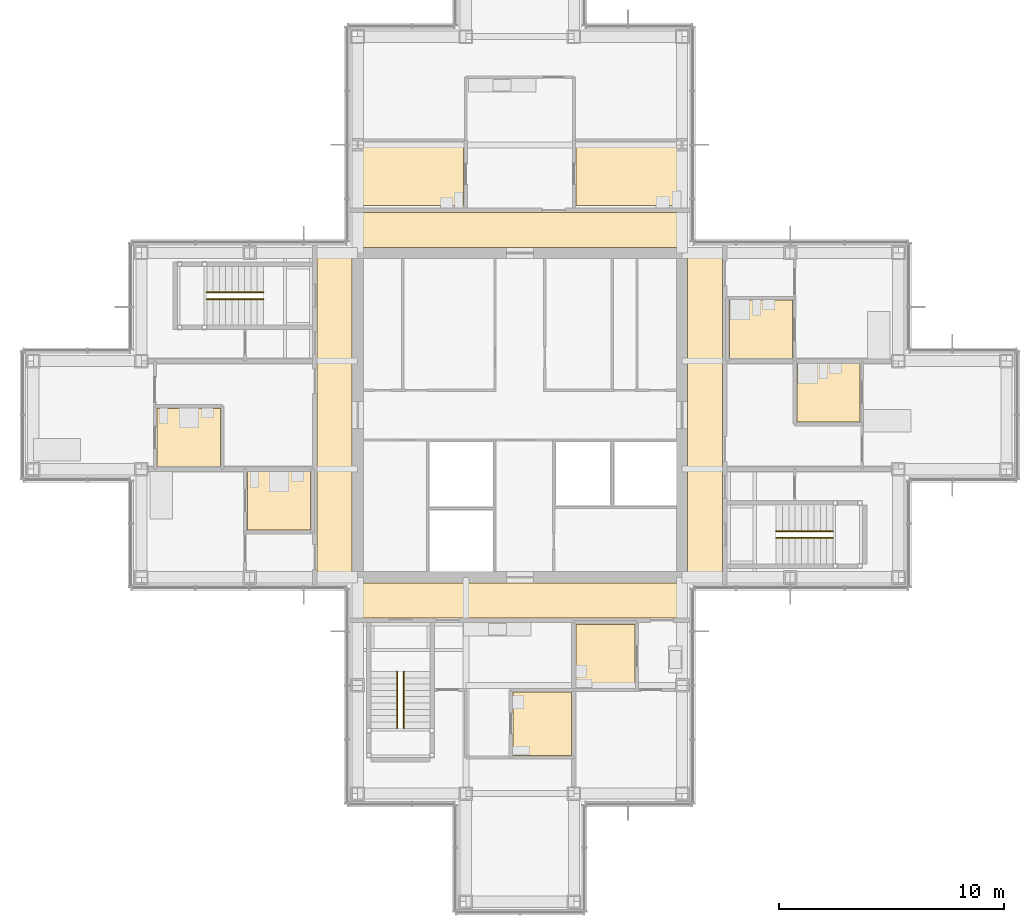
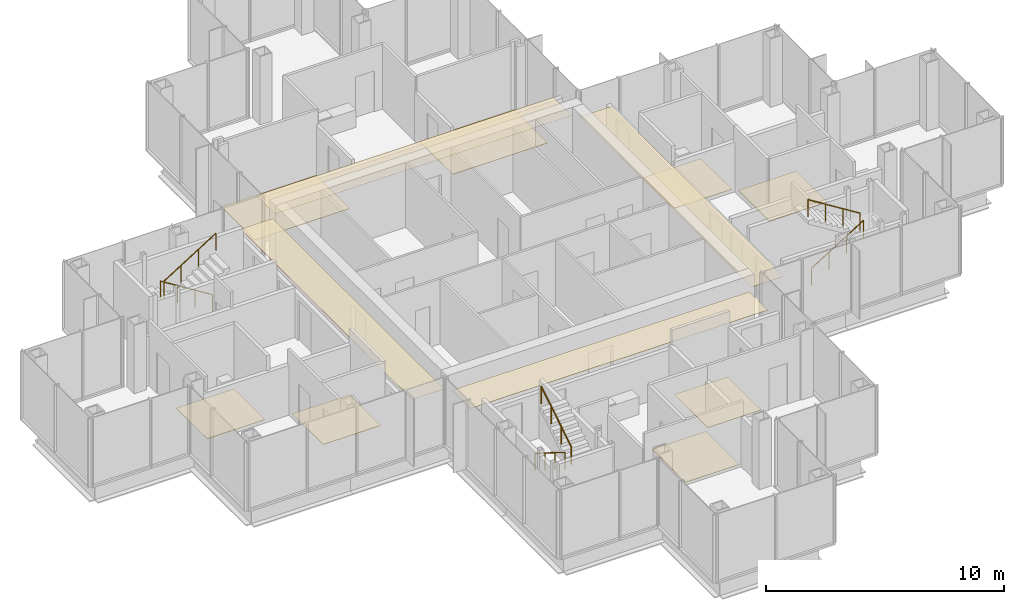
# One storey, part 15 of 17: 12 coverings, 6 railings.
"""IFC4 building model written with IfcOpenShell, lengths in metres."""

from ifc_helpers import new_model, si_unit, direction, frame, origin, origin_2d, place, context, subcontext, project, spatial, polyline, circle, outline, extrude, material, layer, layer_set, type_object, element, save


model = new_model("IFC4")

# Units and contexts
model_context = context("Model", 3, precision=1e-05, world=origin(), true_north=direction((0.0, 1.0)))
body_context = subcontext(model_context, "Body", "Model", "MODEL_VIEW")
ifc_project = project(units=[si_unit("LENGTHUNIT", "METRE"), si_unit("AREAUNIT", "SQUARE_METRE"), si_unit("VOLUMEUNIT", "CUBIC_METRE"), si_unit("PLANEANGLEUNIT", "RADIAN"), si_unit("MASSUNIT", "GRAM", prefix="KILO")], contexts=[model_context])

# Site, building, storey
site_placement = place(None, origin())
site = spatial("IfcSite", under=ifc_project, at=site_placement, CompositionType="ELEMENT")
building_placement = place(site_placement, origin())
building = spatial("IfcBuilding", under=site, at=building_placement, Name="Kvirike Care Tower", CompositionType="ELEMENT")
storey_placement = place(building_placement, frame((0.0, 0.0, 158.5)))
storey = spatial("IfcBuildingStorey", under=building, at=storey_placement, Name="L43", CompositionType="ELEMENT", Elevation=158.5)

# Coverings
ifc_material_1 = material(Name="Perforated metal ceiling tile", Category="aluminium")
ifc_layer_1 = layer(ifc_material_1, 0.014892578125)
ifc_layer_set_1 = layer_set([ifc_layer_1], Name="CORRIDOR CEILING 15")
covering_type_1 = type_object("IfcCoveringType", Name="CORRIDOR CEILING 15", PredefinedType="CEILING", material=ifc_layer_set_1)
covering_1_placement = place(storey_placement, frame((0.0, 0.0, 2.5)))
element("IfcCovering", 1, at=covering_1_placement, inside=storey, type_object=covering_type_1, Name="Corridor ceiling L43", PredefinedType="CEILING", context=body_context, shape_type="SweptSolid", body=[
    extrude(outline(polyline([(12.60009765625, 43.199951171875), (14.14990234375, 43.199951171875), (14.14990234375, 28.800048828125), (12.60009765625, 28.800048828125), (12.60009765625, 43.199951171875)])), origin(), (0.0, 0.0, 1.0), 0.014892578125),
])
covering_2_placement = place(storey_placement, frame((0.0, 0.0, 2.5)))
element("IfcCovering", 2, at=covering_2_placement, inside=storey, type_object=covering_type_1, Name="Corridor ceiling L43", PredefinedType="CEILING", context=body_context, shape_type="SweptSolid", body=[
    extrude(outline(polyline([(14.39990234375, 27.0), (14.39990234375, 28.550048828125), (28.800048828125, 28.550048828125), (28.800048828125, 27.0), (14.39990234375, 27.0)])), origin(), (0.0, 0.0, 1.0), 0.014892578125),
])
covering_3_placement = place(storey_placement, frame((0.0, 0.0, 2.5)))
element("IfcCovering", 3, at=covering_3_placement, inside=storey, type_object=covering_type_1, Name="Corridor ceiling L43", PredefinedType="CEILING", context=body_context, shape_type="SweptSolid", body=[
    extrude(outline(polyline([(28.800048828125, 45.0), (28.800048828125, 43.449951171875), (14.39990234375, 43.449951171875), (14.39990234375, 45.0), (28.800048828125, 45.0)])), origin(), (0.0, 0.0, 1.0), 0.014892578125),
])
covering_4_placement = place(storey_placement, frame((0.0, 0.0, 2.5)))
element("IfcCovering", 4, at=covering_4_placement, inside=storey, type_object=covering_type_1, Name="Corridor ceiling L43", PredefinedType="CEILING", context=body_context, shape_type="SweptSolid", body=[
    extrude(outline(polyline([(30.60009765625, 28.800048828125), (29.050048828125, 28.800048828125), (29.050048828125, 43.199951171875), (30.60009765625, 43.199951171875), (30.60009765625, 28.800048828125)])), origin(), (0.0, 0.0, 1.0), 0.014892578125),
])

# Railings
ifc_material_2 = material(Name="Stainless steel handrail", Category="steel")
railing_type = type_object("IfcRailingType", Name="STAIR HANDRAIL 900", PredefinedType="HANDRAIL", material=ifc_material_2)
railing_1_placement = place(storey_placement, frame((10.219970703125, 41.449951171875, 0.175048828125)))
element("IfcRailing", 5, at=railing_1_placement, inside=storey, type_object=railing_type, Name="Stair 1 handrail L43 flight 1", PredefinedType="HANDRAIL", context=body_context, shape_type="SweptSolid", body=[
    extrude(circle(Radius=0.02490234375, at=origin_2d()), frame((0.0, 0.0, 0.875), z_axis=(-0.848007534815, 0.0, 0.529984170421), x_axis=(0.0, -1.0, 0.0)), (0.0, 0.0, 1.0), 2.9716796875),
    extrude(circle(Radius=0.02001953125, at=origin_2d()), origin(), (0.0, 0.0, 1.0), 0.849853515625),
    extrude(circle(Radius=0.02001953125, at=origin_2d()), frame((-0.840087890625, 0.0, 0.52490234375)), (0.0, 0.0, 1.0), 0.849853515625),
    extrude(circle(Radius=0.02001953125, at=origin_2d()), frame((-1.679931640625, 0.0, 1.050048828125)), (0.0, 0.0, 1.0), 0.849853515625),
    extrude(circle(Radius=0.02001953125, at=origin_2d()), frame((-2.52001953125, 0.0, 1.574951171875)), (0.0, 0.0, 1.0), 0.849853515625),
])
for number, where, name in (
    (6, (7.699951171875, 41.14990234375, 1.925048828125), "Stair 1 handrail L43 flight 2"),
    (7, (32.97998046875, 30.550048828125, 0.175048828125), "Stair 2 handrail L43 flight 1"),
):
    element("IfcRailing", number, at=place(storey_placement, frame(where)), inside=storey, type_object=railing_type, Name=name, PredefinedType="HANDRAIL", context=body_context, shape_type="SweptSolid", body=[
        extrude(circle(Radius=0.02490234375, at=origin_2d()), frame((0.0, 0.0, 0.875), z_axis=(0.848007534815, 0.0, 0.529984170421), x_axis=(0.0, 1.0, 0.0)), (0.0, 0.0, 1.0), 2.9716796875),
        extrude(circle(Radius=0.02001953125, at=origin_2d()), origin(), (0.0, 0.0, 1.0), 0.849853515625),
        extrude(circle(Radius=0.02001953125, at=origin_2d()), frame((0.840087890625, 0.0, 0.52490234375)), (0.0, 0.0, 1.0), 0.849853515625),
        extrude(circle(Radius=0.02001953125, at=origin_2d()), frame((1.679931640625, 0.0, 1.050048828125)), (0.0, 0.0, 1.0), 0.849853515625),
        extrude(circle(Radius=0.02001953125, at=origin_2d()), frame((2.52001953125, 0.0, 1.574951171875)), (0.0, 0.0, 1.0), 0.849853515625),
    ])
railing_2_placement = place(storey_placement, frame((35.5, 30.85009765625, 1.925048828125)))
element("IfcRailing", 8, at=railing_2_placement, inside=storey, type_object=railing_type, Name="Stair 2 handrail L43 flight 2", PredefinedType="HANDRAIL", context=body_context, shape_type="SweptSolid", body=[
    extrude(circle(Radius=0.02490234375, at=origin_2d()), frame((0.0, 0.0, 0.875), z_axis=(-0.848007534815, 0.0, 0.529984170421), x_axis=(0.0, -1.0, 0.0)), (0.0, 0.0, 1.0), 2.9716796875),
    extrude(circle(Radius=0.02001953125, at=origin_2d()), origin(), (0.0, 0.0, 1.0), 0.849853515625),
    extrude(circle(Radius=0.02001953125, at=origin_2d()), frame((-0.840087890625, 0.0, 0.52490234375)), (0.0, 0.0, 1.0), 0.849853515625),
    extrude(circle(Radius=0.02001953125, at=origin_2d()), frame((-1.679931640625, 0.0, 1.050048828125)), (0.0, 0.0, 1.0), 0.849853515625),
    extrude(circle(Radius=0.02001953125, at=origin_2d()), frame((-2.52001953125, 0.0, 1.574951171875)), (0.0, 0.0, 1.0), 0.849853515625),
])
railing_3_placement = place(storey_placement, frame((16.14990234375, 24.6201171875, 0.175048828125)))
element("IfcRailing", 9, at=railing_3_placement, inside=storey, type_object=railing_type, Name="Stair 5 handrail L43 flight 1", PredefinedType="HANDRAIL", context=body_context, shape_type="SweptSolid", body=[
    extrude(circle(Radius=0.02490234375, at=origin_2d()), frame((0.0, 0.0, 0.875), z_axis=(0.0, -0.848007534815, 0.529984170421), x_axis=(1.0, 0.0, 0.0)), (0.0, 0.0, 1.0), 2.9716796875),
    extrude(circle(Radius=0.02001953125, at=origin_2d()), origin(), (0.0, 0.0, 1.0), 0.849853515625),
    extrude(circle(Radius=0.02001953125, at=origin_2d()), frame((0.0, -0.840087890625, 0.52490234375)), (0.0, 0.0, 1.0), 0.849853515625),
    extrude(circle(Radius=0.02001953125, at=origin_2d()), frame((0.0, -1.679931640625, 1.050048828125)), (0.0, 0.0, 1.0), 0.849853515625),
    extrude(circle(Radius=0.02001953125, at=origin_2d()), frame((0.0, -2.52001953125, 1.574951171875)), (0.0, 0.0, 1.0), 0.849853515625),
])
railing_4_placement = place(storey_placement, frame((16.449951171875, 22.10009765625, 1.925048828125)))
element("IfcRailing", 10, at=railing_4_placement, inside=storey, type_object=railing_type, Name="Stair 5 handrail L43 flight 2", PredefinedType="HANDRAIL", context=body_context, shape_type="SweptSolid", body=[
    extrude(circle(Radius=0.02490234375, at=origin_2d()), frame((0.0, 0.0, 0.875), z_axis=(0.0, 0.848007534815, 0.529984170421), x_axis=(-1.0, 0.0, 0.0)), (0.0, 0.0, 1.0), 2.9716796875),
    extrude(circle(Radius=0.02001953125, at=origin_2d()), origin(), (0.0, 0.0, 1.0), 0.849853515625),
    extrude(circle(Radius=0.02001953125, at=origin_2d()), frame((0.0, 0.840087890625, 0.52490234375)), (0.0, 0.0, 1.0), 0.849853515625),
    extrude(circle(Radius=0.02001953125, at=origin_2d()), frame((0.0, 1.679931640625, 1.050048828125)), (0.0, 0.0, 1.0), 0.849853515625),
    extrude(circle(Radius=0.02001953125, at=origin_2d()), frame((0.0, 2.52001953125, 1.574951171875)), (0.0, 0.0, 1.0), 0.849853515625),
])

# Coverings
ifc_material_3 = material(Name="Slip-resistant vinyl safety flooring on screed")
ifc_layer_2 = layer(ifc_material_3, 0.02001953125)
ifc_layer_set_2 = layer_set([ifc_layer_2], Name="WET ROOM FLOOR 20")
covering_type_2 = type_object("IfcCoveringType", Name="WET ROOM FLOOR 20", PredefinedType="FLOORING", material=ifc_layer_set_2)
covering_5_placement = place(storey_placement, origin())
element("IfcCovering", 11, at=covering_5_placement, inside=storey, type_object=covering_type_2, Name="En-suite floor L43-006", PredefinedType="FLOORING", context=body_context, shape_type="SweptSolid", body=[
    extrude(outline(polyline([(5.5, 36.300048828125), (8.300048828125, 36.300048828125), (8.300048828125, 33.699951171875), (5.5, 33.699951171875), (5.5, 36.300048828125)])), origin(), (0.0, 0.0, 1.0), 0.02001953125),
])
covering_6_placement = place(storey_placement, origin())
element("IfcCovering", 12, at=covering_6_placement, inside=storey, type_object=covering_type_2, Name="En-suite floor L43-009", PredefinedType="FLOORING", context=body_context, shape_type="SweptSolid", body=[
    extrude(outline(polyline([(9.5, 33.5), (12.300048828125, 33.5), (12.300048828125, 30.89990234375), (9.5, 30.89990234375), (9.5, 33.5)])), origin(), (0.0, 0.0, 1.0), 0.02001953125),
])
covering_7_placement = place(storey_placement, origin())
element("IfcCovering", 13, at=covering_7_placement, inside=storey, type_object=covering_type_2, Name="Accessible WC floor L43-014", PredefinedType="FLOORING", context=body_context, shape_type="SweptSolid", body=[
    extrude(outline(polyline([(21.300048828125, 20.89990234375), (21.300048828125, 23.699951171875), (23.89990234375, 23.699951171875), (23.89990234375, 20.89990234375), (21.300048828125, 20.89990234375)])), origin(), (0.0, 0.0, 1.0), 0.02001953125),
])
covering_8_placement = place(storey_placement, origin())
element("IfcCovering", 14, at=covering_8_placement, inside=storey, type_object=covering_type_2, Name="Staff WC floor L43-017", PredefinedType="FLOORING", context=body_context, shape_type="SweptSolid", body=[
    extrude(outline(polyline([(24.10009765625, 23.89990234375), (24.10009765625, 26.699951171875), (26.699951171875, 26.699951171875), (26.699951171875, 23.89990234375), (24.10009765625, 23.89990234375)])), origin(), (0.0, 0.0, 1.0), 0.02001953125),
])
covering_9_placement = place(storey_placement, origin())
element("IfcCovering", 15, at=covering_9_placement, inside=storey, type_object=covering_type_2, Name="Accessible WC floor L43-021", PredefinedType="FLOORING", context=body_context, shape_type="SweptSolid", body=[
    extrude(outline(polyline([(28.699951171875, 48.10009765625), (28.699951171875, 45.300048828125), (24.10009765625, 45.300048828125), (24.10009765625, 48.10009765625), (28.699951171875, 48.10009765625)])), origin(), (0.0, 0.0, 1.0), 0.02001953125),
])
covering_10_placement = place(storey_placement, origin())
element("IfcCovering", 16, at=covering_10_placement, inside=storey, type_object=covering_type_2, Name="Staff WC floor L43-022", PredefinedType="FLOORING", context=body_context, shape_type="SweptSolid", body=[
    extrude(outline(polyline([(19.10009765625, 48.10009765625), (19.10009765625, 45.300048828125), (14.5, 45.300048828125), (14.5, 48.10009765625), (19.10009765625, 48.10009765625)])), origin(), (0.0, 0.0, 1.0), 0.02001953125),
])
covering_11_placement = place(storey_placement, origin())
element("IfcCovering", 17, at=covering_11_placement, inside=storey, type_object=covering_type_2, Name="En-suite floor L43-029", PredefinedType="FLOORING", context=body_context, shape_type="SweptSolid", body=[
    extrude(outline(polyline([(36.699951171875, 35.699951171875), (33.89990234375, 35.699951171875), (33.89990234375, 38.300048828125), (36.699951171875, 38.300048828125), (36.699951171875, 35.699951171875)])), origin(), (0.0, 0.0, 1.0), 0.02001953125),
])
covering_12_placement = place(storey_placement, origin())
element("IfcCovering", 18, at=covering_12_placement, inside=storey, type_object=covering_type_2, Name="En-suite floor L43-032", PredefinedType="FLOORING", context=body_context, shape_type="SweptSolid", body=[
    extrude(outline(polyline([(33.699951171875, 38.5), (30.89990234375, 38.5), (30.89990234375, 41.10009765625), (33.699951171875, 41.10009765625), (33.699951171875, 38.5)])), origin(), (0.0, 0.0, 1.0), 0.02001953125),
])

save(model, "model.ifc")
